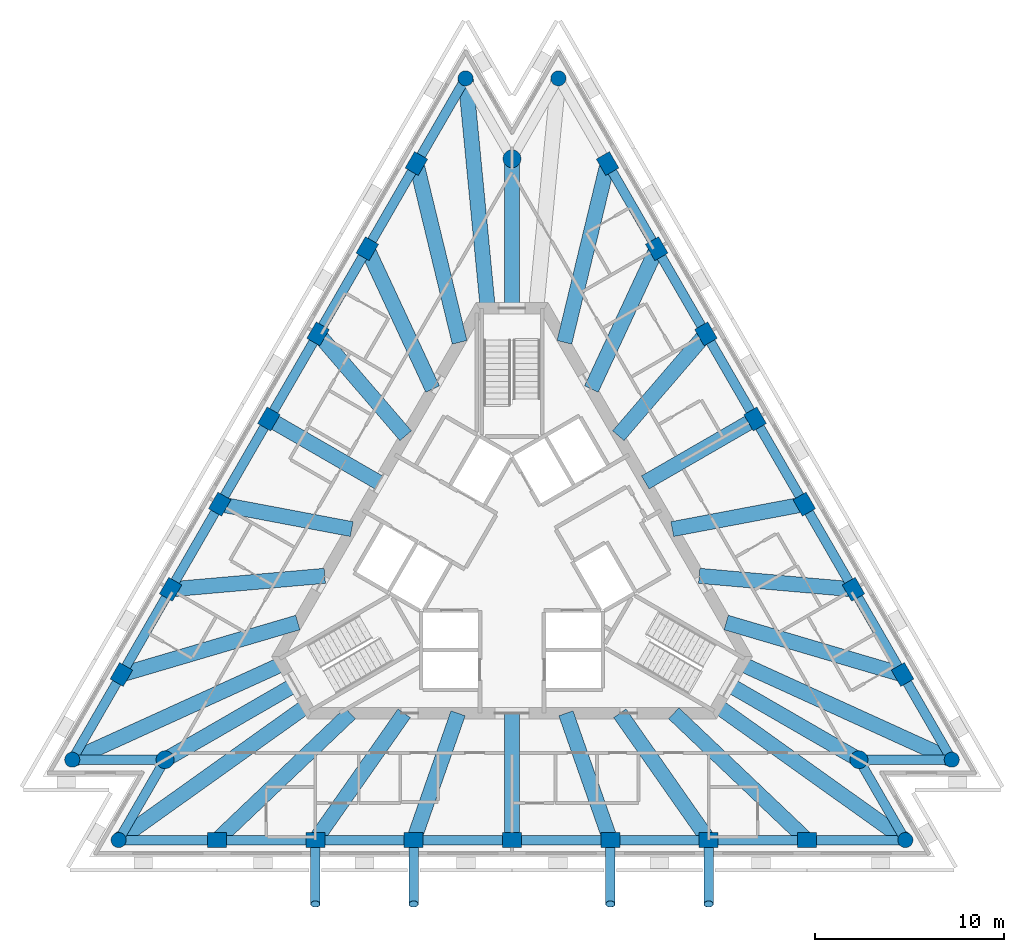
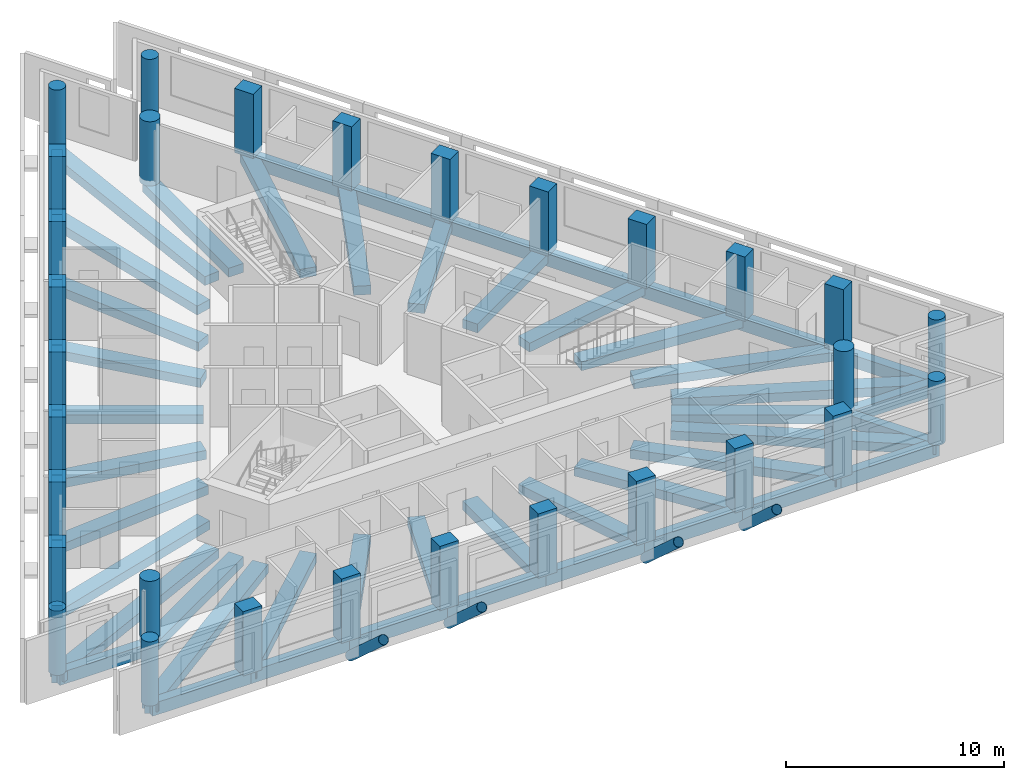
# One storey, part 1 of 10: 56 beams, 30 columns, 4 members.
"""IFC4 building model written with IfcOpenShell, lengths in metres."""

from ifc_helpers import new_model, si_unit, direction, frame, origin, origin_2d, place, context, subcontext, project, spatial, rectangle, circle, hollow_circle, extrude, material, material_profile, profile_set, type_object, element, save


model = new_model("IFC4")

# Units and contexts
model_context = context("Model", 3, precision=1e-05, world=origin(), true_north=direction((0.0, 1.0)))
body_context = subcontext(model_context, "Body", "Model", "MODEL_VIEW")
ifc_project = project(units=[si_unit("LENGTHUNIT", "METRE"), si_unit("AREAUNIT", "SQUARE_METRE"), si_unit("VOLUMEUNIT", "CUBIC_METRE"), si_unit("PLANEANGLEUNIT", "RADIAN"), si_unit("MASSUNIT", "GRAM", prefix="KILO")], contexts=[model_context])

# Site, building, storey
site_placement = place(None, origin())
site = spatial("IfcSite", under=ifc_project, at=site_placement, CompositionType="ELEMENT")
building_placement = place(site_placement, origin())
building = spatial("IfcBuilding", under=site, at=building_placement, Name="Triada Interchange Tower", CompositionType="ELEMENT")
storey_placement = place(building_placement, frame((0.0, 0.0, 318.699951171875)))
storey = spatial("IfcBuildingStorey", under=building, at=storey_placement, Name="L76", CompositionType="ELEMENT", Elevation=318.699951171875)

# Columns
ifc_material_1 = material(Name="Concrete C40/50", Category="concrete")
ifc_material_profile_1 = material_profile(ifc_material_1, rectangle(XDim=1.0, YDim=0.800048828125, at=origin_2d()), Name="RC 1000x800")
ifc_profile_set_1 = profile_set([ifc_material_profile_1], Name="Concrete C40/50")
column_type_1 = type_object("IfcColumnType", Name="Column D face RC 1000x800", PredefinedType="COLUMN", material=ifc_profile_set_1)
for number, where, z_axis, x_axis, name in (
    (1, (-5.06103515625, 20.9599609375, -0.300048828125), (0.0, 0.0, 1.0), (0.5, 0.866025403784, 0.0), "Column CD02 L76"),
    (2, (-7.6640625, 16.450927734375, -0.300048828125), (0.0, 0.0, 1.0), (0.5, 0.866025403784, 0.0), "Column CD03 L76"),
    (3, (-10.26806640625, 11.94091796875, -0.300048828125), (0.0, 0.0, 1.0), (0.5, 0.866025403784, 0.0), "Column CD04 L76"),
    (4, (-12.8720703125, 7.431884765625, -0.300048828125), (0.0, 0.0, 1.0), (0.5, 0.866025403784, 0.0), "Column CD05 L76"),
    (5, (-15.47509765625, 2.922119140625, -0.300048828125), (0.0, 0.0, 1.0), (0.5, 0.866025403784, 0.0), "Column CD06 L76"),
    (6, (-18.0791015625, -1.587890625, -0.300048828125), (0.0, 0.0, 1.0), (0.5, 0.866025403784, 0.0), "Column CD07 L76"),
    (7, (-20.681884765625, -6.096923828125, -0.300048828125), (0.0, 0.0, 1.0), (0.5, 0.866025403784, 0.0), "Column CD08 L76"),
    (8, (-15.6220703125, -14.863037109375, -0.300048828125), (0.0, 0.0, 1.0), (1.0, 0.0, 0.0), "Column CD11 L76"),
    (9, (-10.4140625, -14.863037109375, -0.300048828125), (0.0, 0.0, 1.0), (1.0, 0.0, 0.0), "Column CD12 L76"),
    (10, (-5.20703125, -14.863037109375, -0.300048828125), (0.0, 0.0, 1.0), (1.0, 0.0, 0.0), "Column CD13 L76"),
    (11, (0.0, -14.863037109375, -0.300048828125), (0.0, 0.0, 1.0), (1.0, 0.0, 0.0), "Column CD14 L76"),
    (12, (5.20703125, -14.863037109375, -0.300048828125), (0.0, 0.0, 1.0), (1.0, 0.0, 0.0), "Column CD15 L76"),
    (13, (10.4140625, -14.863037109375, -0.300048828125), (0.0, 0.0, 1.0), (1.0, 0.0, 0.0), "Column CD16 L76"),
    (14, (15.6220703125, -14.863037109375, -0.300048828125), (0.0, 0.0, 1.0), (1.0, 0.0, 0.0), "Column CD17 L76"),
    (15, (20.681884765625, -6.096923828125, -0.300048828125), (0.0, 0.0, 1.0), (-0.5, 0.866025403784, 0.0), "Column CD20 L76"),
    (16, (18.0791015625, -1.587890625, -0.300048828125), (0.0, 0.0, 1.0), (-0.5, 0.866025403784, 0.0), "Column CD21 L76"),
    (17, (15.47509765625, 2.922119140625, -0.300048828125), (0.0, 0.0, 1.0), (-0.5, 0.866025403784, 0.0), "Column CD22 L76"),
    (18, (12.8720703125, 7.431884765625, -0.300048828125), (0.0, 0.0, 1.0), (-0.5, 0.866025403784, 0.0), "Column CD23 L76"),
    (19, (10.26806640625, 11.94091796875, -0.300048828125), (0.0, 0.0, 1.0), (-0.5, 0.866025403784, 0.0), "Column CD24 L76"),
    (20, (7.6640625, 16.450927734375, -0.300048828125), (0.0, 0.0, 1.0), (-0.5, 0.866025403784, 0.0), "Column CD25 L76"),
    (21, (5.06103515625, 20.9599609375, -0.300048828125), (0.0, 0.0, 1.0), (-0.5, 0.866025403784, 0.0), "Column CD26 L76"),
):
    element("IfcColumn", number, at=place(storey_placement, frame(where, z_axis=z_axis, x_axis=x_axis)), inside=storey, type_object=column_type_1, Name=name, PredefinedType="COLUMN", context=body_context, shape_type="SweptSolid", body=[
        extrude(rectangle(XDim=1.0, YDim=0.800048828125, at=origin_2d()), origin(), (0.0, 0.0, 1.0), 3.60009765625),
    ])
ifc_material_profile_2 = material_profile(ifc_material_1, circle(Radius=0.39990234375, at=origin_2d()), Name="RC D800")
ifc_profile_set_2 = profile_set([ifc_material_profile_2], Name="Concrete C40/50")
column_type_2 = type_object("IfcColumnType", Name="End column D RC D800", PredefinedType="COLUMN", material=ifc_profile_set_2)
for number, where, z_axis, x_axis, name in (
    (22, (-2.45703125, 25.469970703125, -0.300048828125), (0.0, 0.0, 1.0), (0.5, 0.866025403784, 0.0), "Column CD01 L76"),
    (23, (-23.285888671875, -10.60693359375, -0.300048828125), (0.0, 0.0, 1.0), (0.5, 0.866025403784, 0.0), "Column CD09 L76"),
    (24, (-20.8291015625, -14.863037109375, -0.300048828125), (0.0, 0.0, 1.0), (1.0, 0.0, 0.0), "Column CD10 L76"),
    (25, (20.8291015625, -14.863037109375, -0.300048828125), (0.0, 0.0, 1.0), (1.0, 0.0, 0.0), "Column CD18 L76"),
    (26, (23.285888671875, -10.60693359375, -0.300048828125), (0.0, 0.0, 1.0), (-0.5, 0.866025403784, 0.0), "Column CD19 L76"),
    (27, (2.45703125, 25.469970703125, -0.300048828125), (0.0, 0.0, 1.0), (-0.5, 0.866025403784, 0.0), "Column CD27 L76"),
):
    element("IfcColumn", number, at=place(storey_placement, frame(where, z_axis=z_axis, x_axis=x_axis)), inside=storey, type_object=column_type_2, Name=name, PredefinedType="COLUMN", context=body_context, shape_type="SweptSolid", body=[
        extrude(circle(Radius=0.39990234375, at=origin_2d()), origin(), (0.0, 0.0, 1.0), 3.60009765625),
    ])
ifc_material_profile_3 = material_profile(ifc_material_1, circle(Radius=0.47509765625, at=origin_2d()), Name="RC D950")
ifc_profile_set_3 = profile_set([ifc_material_profile_3], Name="Concrete C40/50")
column_type_3 = type_object("IfcColumnType", Name="Mega column D RC D950", PredefinedType="COLUMN", material=ifc_profile_set_3)
for number, where, z_axis, x_axis, name in (
    (28, (0.0, 21.214111328125, -0.300048828125), (0.0, 0.0, 1.0), (1.0, 0.0, 0.0), "Column MD1 L76"),
    (29, (-18.3720703125, -10.60693359375, -0.300048828125), (0.0, 0.0, 1.0), (1.0, 0.0, 0.0), "Column MD2 L76"),
    (30, (18.3720703125, -10.60693359375, -0.300048828125), (0.0, 0.0, 1.0), (1.0, 0.0, 0.0), "Column MD3 L76"),
):
    element("IfcColumn", number, at=place(storey_placement, frame(where, z_axis=z_axis, x_axis=x_axis)), inside=storey, type_object=column_type_3, Name=name, PredefinedType="COLUMN", context=body_context, shape_type="SweptSolid", body=[
        extrude(circle(Radius=0.47509765625, at=origin_2d()), origin(), (0.0, 0.0, 1.0), 3.60009765625),
    ])

# Members
ifc_material_2 = material(Name="Steel S355", Category="steel")
ifc_material_profile_4 = material_profile(ifc_material_2, hollow_circle(Radius=0.25390625, WallThickness=0.01611328125, at=origin_2d()), Name="CHS 508x16")
ifc_profile_set_4 = profile_set([ifc_material_profile_4], Name="Steel S355")
member_type = type_object("IfcMemberType", Name="Pool strut CHS 508x16", PredefinedType="BRACE", material=ifc_profile_set_4)
for number, where, z_axis, x_axis, name in (
    (31, (-10.4140625, -18.25, 1.550048828125), (0.0, 0.743086197758, -0.669195713302), (-1.0, 0.0, 0.0), "Pool deck strut 1"),
    (32, (-5.20703125, -18.25, 1.550048828125), (0.0, 0.743086197758, -0.669195713302), (-1.0, 0.0, 0.0), "Pool deck strut 2"),
    (33, (5.20703125, -18.25, 1.550048828125), (0.0, 0.743086197758, -0.669195713302), (-1.0, 0.0, 0.0), "Pool deck strut 3"),
    (34, (10.4140625, -18.25, 1.550048828125), (0.0, 0.743086197758, -0.669195713302), (-1.0, 0.0, 0.0), "Pool deck strut 4"),
):
    element("IfcMember", number, at=place(storey_placement, frame(where, z_axis=z_axis, x_axis=x_axis)), inside=storey, type_object=member_type, Name=name, PredefinedType="BRACE", context=body_context, shape_type="SweptSolid", body=[
        extrude(hollow_circle(Radius=0.25390625, WallThickness=0.01611328125, at=origin_2d()), origin(), (0.0, 0.0, 1.0), 4.087158203125),
    ])

# Beams
ifc_material_3 = material(Name="Concrete C50/60", Category="concrete")
ifc_material_profile_5 = material_profile(ifc_material_3, rectangle(XDim=0.800048828125, YDim=0.5, at=origin_2d()), Name="RC 800x500")
ifc_profile_set_5 = profile_set([ifc_material_profile_5], Name="Concrete C50/60")
beam_type_1 = type_object("IfcBeamType", Name="Radial band beam D RC 800x500", PredefinedType="BEAM", material=ifc_profile_set_5)
beam_1_placement = place(storey_placement, frame((-2.45703125, 25.469970703125, -0.550048828125), z_axis=(0.09602744551, -0.995378686586, 0.0), x_axis=(0.995378686586, 0.09602744551, 0.0)))
element("IfcBeam", 35, at=beam_1_placement, inside=storey, type_object=beam_type_1, Name="Radial band beam BD01 L76", PredefinedType="BEAM", context=body_context, shape_type="SweptSolid", body=[
    extrude(rectangle(XDim=0.800048828125, YDim=0.5, at=origin_2d()), origin(), (0.0, 0.0, 1.0), 12.226318359375),
])
beam_2_placement = place(storey_placement, frame((-5.06103515625, 20.9599609375, -0.550048828125), z_axis=(0.234736099934, -0.972059135746, 0.0), x_axis=(0.972059135746, 0.234736099934, 0.0)))
element("IfcBeam", 36, at=beam_2_placement, inside=storey, type_object=beam_type_1, Name="Radial band beam BD02 L76", PredefinedType="BEAM", context=body_context, shape_type="SweptSolid", body=[
    extrude(rectangle(XDim=0.800048828125, YDim=0.5, at=origin_2d()), origin(), (0.0, 0.0, 1.0), 9.7392578125),
])
beam_3_placement = place(storey_placement, frame((-7.6640625, 16.450927734375, -0.550048828125), z_axis=(0.422272260862, -0.906469049503, 0.0), x_axis=(0.906469049503, 0.422272260862, 0.0)))
element("IfcBeam", 37, at=beam_3_placement, inside=storey, type_object=beam_type_1, Name="Radial band beam BD03 L76", PredefinedType="BEAM", context=body_context, shape_type="SweptSolid", body=[
    extrude(rectangle(XDim=0.800048828125, YDim=0.5, at=origin_2d()), origin(), (0.0, 0.0, 1.0), 8.196533203125),
])
beam_4_placement = place(storey_placement, frame((-10.26806640625, 11.94091796875, -0.550048828125), z_axis=(0.652068074726, -0.758160422288, 0.0), x_axis=(0.758160422288, 0.652068074726, 0.0)))
element("IfcBeam", 38, at=beam_4_placement, inside=storey, type_object=beam_type_1, Name="Radial band beam BD04 L76", PredefinedType="BEAM", context=body_context, shape_type="SweptSolid", body=[
    extrude(rectangle(XDim=0.800048828125, YDim=0.5, at=origin_2d()), origin(), (0.0, 0.0, 1.0), 7.113037109375),
])
beam_5_placement = place(storey_placement, frame((-12.8720703125, 7.431884765625, -0.550048828125), z_axis=(0.86600996069, -0.50002674727, 0.0), x_axis=(0.50002674727, 0.86600996069, 0.0)))
element("IfcBeam", 39, at=beam_5_placement, inside=storey, type_object=beam_type_1, Name="Radial band beam BD05 L76", PredefinedType="BEAM", context=body_context, shape_type="SweptSolid", body=[
    extrude(rectangle(XDim=0.800048828125, YDim=0.5, at=origin_2d()), origin(), (0.0, 0.0, 1.0), 6.713623046875),
])
beam_6_placement = place(storey_placement, frame((-15.47509765625, 2.922119140625, -0.550048828125), z_axis=(0.982626118803, -0.185596095447, 0.0), x_axis=(0.185596095447, 0.982626118803, 0.0)))
element("IfcBeam", 40, at=beam_6_placement, inside=storey, type_object=beam_type_1, Name="Radial band beam BD06 L76", PredefinedType="BEAM", context=body_context, shape_type="SweptSolid", body=[
    extrude(rectangle(XDim=0.800048828125, YDim=0.5, at=origin_2d()), origin(), (0.0, 0.0, 1.0), 7.112548828125),
])
beam_7_placement = place(storey_placement, frame((-18.0791015625, -1.587890625, -0.550048828125), z_axis=(0.996169628098, 0.087441820979, 0.0), x_axis=(-0.087441820979, 0.996169628098, 0.0)))
element("IfcBeam", 41, at=beam_7_placement, inside=storey, type_object=beam_type_1, Name="Radial band beam BD07 L76", PredefinedType="BEAM", context=body_context, shape_type="SweptSolid", body=[
    extrude(rectangle(XDim=0.800048828125, YDim=0.5, at=origin_2d()), origin(), (0.0, 0.0, 1.0), 8.197509765625),
])
beam_8_placement = place(storey_placement, frame((-20.681884765625, -6.096923828125, -0.550048828125), z_axis=(0.959181663984, 0.282790621269, 0.0), x_axis=(-0.282790621269, 0.959181663984, 0.0)))
element("IfcBeam", 42, at=beam_8_placement, inside=storey, type_object=beam_type_1, Name="Radial band beam BD08 L76", PredefinedType="BEAM", context=body_context, shape_type="SweptSolid", body=[
    extrude(rectangle(XDim=0.800048828125, YDim=0.5, at=origin_2d()), origin(), (0.0, 0.0, 1.0), 9.73828125),
])
beam_9_placement = place(storey_placement, frame((-23.285888671875, -10.60693359375, -0.550048828125), z_axis=(0.910039299284, 0.414521982238, 0.0), x_axis=(-0.414521982238, 0.910039299284, 0.0)))
element("IfcBeam", 43, at=beam_9_placement, inside=storey, type_object=beam_type_1, Name="Radial band beam BD09 L76", PredefinedType="BEAM", context=body_context, shape_type="SweptSolid", body=[
    extrude(rectangle(XDim=0.800048828125, YDim=0.5, at=origin_2d()), origin(), (0.0, 0.0, 1.0), 12.225830078125),
])
beam_10_placement = place(storey_placement, frame((-18.3720703125, -10.60693359375, -0.550048828125), z_axis=(0.866032502725, 0.499987704073, 0.0), x_axis=(-0.499987704073, 0.866032502725, 0.0)))
element("IfcBeam", 44, at=beam_10_placement, inside=storey, type_object=beam_type_1, Name="Radial band beam BD10 L76", PredefinedType="BEAM", context=body_context, shape_type="SweptSolid", body=[
    extrude(rectangle(XDim=0.800048828125, YDim=0.5, at=origin_2d()), origin(), (0.0, 0.0, 1.0), 7.914306640625),
])
beam_11_placement = place(storey_placement, frame((-20.8291015625, -14.863037109375, -0.550048828125), z_axis=(0.814016690787, 0.580841481922, 0.0), x_axis=(-0.580841481922, 0.814016690787, 0.0)))
element("IfcBeam", 45, at=beam_11_placement, inside=storey, type_object=beam_type_1, Name="Radial band beam BD11 L76", PredefinedType="BEAM", context=body_context, shape_type="SweptSolid", body=[
    extrude(rectangle(XDim=0.800048828125, YDim=0.5, at=origin_2d()), origin(), (0.0, 0.0, 1.0), 12.227294921875),
])
beam_12_placement = place(storey_placement, frame((-15.6220703125, -14.863037109375, -0.550048828125), z_axis=(0.724497300628, 0.689277637373, 0.0), x_axis=(-0.689277637373, 0.724497300628, 0.0)))
element("IfcBeam", 46, at=beam_12_placement, inside=storey, type_object=beam_type_1, Name="Radial band beam BD12 L76", PredefinedType="BEAM", context=body_context, shape_type="SweptSolid", body=[
    extrude(rectangle(XDim=0.800048828125, YDim=0.5, at=origin_2d()), origin(), (0.0, 0.0, 1.0), 9.7392578125),
])
beam_13_placement = place(storey_placement, frame((-10.4140625, -14.863037109375, -0.550048828125), z_axis=(0.573864049715, 0.818950579977, 0.0), x_axis=(-0.818950579977, 0.573864049715, 0.0)))
element("IfcBeam", 47, at=beam_13_placement, inside=storey, type_object=beam_type_1, Name="Radial band beam BD13 L76", PredefinedType="BEAM", context=body_context, shape_type="SweptSolid", body=[
    extrude(rectangle(XDim=0.800048828125, YDim=0.5, at=origin_2d()), origin(), (0.0, 0.0, 1.0), 8.197265625),
])
beam_14_placement = place(storey_placement, frame((-5.20703125, -14.863037109375, -0.550048828125), z_axis=(0.330657699543, 0.94375075403, 0.0), x_axis=(-0.94375075403, 0.330657699543, 0.0)))
element("IfcBeam", 48, at=beam_14_placement, inside=storey, type_object=beam_type_1, Name="Radial band beam BD14 L76", PredefinedType="BEAM", context=body_context, shape_type="SweptSolid", body=[
    extrude(rectangle(XDim=0.800048828125, YDim=0.5, at=origin_2d()), origin(), (0.0, 0.0, 1.0), 7.11328125),
])
beam_15_placement = place(storey_placement, frame((0.0, -14.863037109375, -0.550048828125), z_axis=(0.0, 1.0, 0.0), x_axis=(-1.0, 0.0, 0.0)))
element("IfcBeam", 49, at=beam_15_placement, inside=storey, type_object=beam_type_1, Name="Radial band beam BD15 L76", PredefinedType="BEAM", context=body_context, shape_type="SweptSolid", body=[
    extrude(rectangle(XDim=0.800048828125, YDim=0.5, at=origin_2d()), origin(), (0.0, 0.0, 1.0), 6.713134765625),
])
beam_16_placement = place(storey_placement, frame((5.20703125, -14.863037109375, -0.550048828125), z_axis=(-0.330657699543, 0.94375075403, 0.0), x_axis=(-0.94375075403, -0.330657699543, 0.0)))
element("IfcBeam", 50, at=beam_16_placement, inside=storey, type_object=beam_type_1, Name="Radial band beam BD16 L76", PredefinedType="BEAM", context=body_context, shape_type="SweptSolid", body=[
    extrude(rectangle(XDim=0.800048828125, YDim=0.5, at=origin_2d()), origin(), (0.0, 0.0, 1.0), 7.11328125),
])
beam_17_placement = place(storey_placement, frame((10.4140625, -14.863037109375, -0.550048828125), z_axis=(-0.573864049715, 0.818950579977, 0.0), x_axis=(-0.818950579977, -0.573864049715, 0.0)))
element("IfcBeam", 51, at=beam_17_placement, inside=storey, type_object=beam_type_1, Name="Radial band beam BD17 L76", PredefinedType="BEAM", context=body_context, shape_type="SweptSolid", body=[
    extrude(rectangle(XDim=0.800048828125, YDim=0.5, at=origin_2d()), origin(), (0.0, 0.0, 1.0), 8.197265625),
])
beam_18_placement = place(storey_placement, frame((15.6220703125, -14.863037109375, -0.550048828125), z_axis=(-0.724497300628, 0.689277637373, 0.0), x_axis=(-0.689277637373, -0.724497300628, 0.0)))
element("IfcBeam", 52, at=beam_18_placement, inside=storey, type_object=beam_type_1, Name="Radial band beam BD18 L76", PredefinedType="BEAM", context=body_context, shape_type="SweptSolid", body=[
    extrude(rectangle(XDim=0.800048828125, YDim=0.5, at=origin_2d()), origin(), (0.0, 0.0, 1.0), 9.7392578125),
])
beam_19_placement = place(storey_placement, frame((20.8291015625, -14.863037109375, -0.550048828125), z_axis=(-0.814016690787, 0.580841481922, 0.0), x_axis=(-0.580841481922, -0.814016690787, 0.0)))
element("IfcBeam", 53, at=beam_19_placement, inside=storey, type_object=beam_type_1, Name="Radial band beam BD19 L76", PredefinedType="BEAM", context=body_context, shape_type="SweptSolid", body=[
    extrude(rectangle(XDim=0.800048828125, YDim=0.5, at=origin_2d()), origin(), (0.0, 0.0, 1.0), 12.227294921875),
])
beam_20_placement = place(storey_placement, frame((18.3720703125, -10.60693359375, -0.550048828125), z_axis=(-0.866032502725, 0.499987704073, 0.0), x_axis=(-0.499987704073, -0.866032502725, 0.0)))
element("IfcBeam", 54, at=beam_20_placement, inside=storey, type_object=beam_type_1, Name="Radial band beam BD20 L76", PredefinedType="BEAM", context=body_context, shape_type="SweptSolid", body=[
    extrude(rectangle(XDim=0.800048828125, YDim=0.5, at=origin_2d()), origin(), (0.0, 0.0, 1.0), 7.914306640625),
])
beam_21_placement = place(storey_placement, frame((23.285888671875, -10.60693359375, -0.550048828125), z_axis=(-0.910039299284, 0.414521982238, 0.0), x_axis=(-0.414521982238, -0.910039299284, 0.0)))
element("IfcBeam", 55, at=beam_21_placement, inside=storey, type_object=beam_type_1, Name="Radial band beam BD21 L76", PredefinedType="BEAM", context=body_context, shape_type="SweptSolid", body=[
    extrude(rectangle(XDim=0.800048828125, YDim=0.5, at=origin_2d()), origin(), (0.0, 0.0, 1.0), 12.225830078125),
])
beam_22_placement = place(storey_placement, frame((20.681884765625, -6.096923828125, -0.550048828125), z_axis=(-0.959181663984, 0.282790621269, 0.0), x_axis=(-0.282790621269, -0.959181663984, 0.0)))
element("IfcBeam", 56, at=beam_22_placement, inside=storey, type_object=beam_type_1, Name="Radial band beam BD22 L76", PredefinedType="BEAM", context=body_context, shape_type="SweptSolid", body=[
    extrude(rectangle(XDim=0.800048828125, YDim=0.5, at=origin_2d()), origin(), (0.0, 0.0, 1.0), 9.73828125),
])
beam_23_placement = place(storey_placement, frame((18.0791015625, -1.587890625, -0.550048828125), z_axis=(-0.996169628098, 0.087441820979, 0.0), x_axis=(-0.087441820979, -0.996169628098, 0.0)))
element("IfcBeam", 57, at=beam_23_placement, inside=storey, type_object=beam_type_1, Name="Radial band beam BD23 L76", PredefinedType="BEAM", context=body_context, shape_type="SweptSolid", body=[
    extrude(rectangle(XDim=0.800048828125, YDim=0.5, at=origin_2d()), origin(), (0.0, 0.0, 1.0), 8.197509765625),
])
beam_24_placement = place(storey_placement, frame((15.47509765625, 2.922119140625, -0.550048828125), z_axis=(-0.982626118803, -0.185596095447, 0.0), x_axis=(0.185596095447, -0.982626118803, 0.0)))
element("IfcBeam", 58, at=beam_24_placement, inside=storey, type_object=beam_type_1, Name="Radial band beam BD24 L76", PredefinedType="BEAM", context=body_context, shape_type="SweptSolid", body=[
    extrude(rectangle(XDim=0.800048828125, YDim=0.5, at=origin_2d()), origin(), (0.0, 0.0, 1.0), 7.112548828125),
])
beam_25_placement = place(storey_placement, frame((12.8720703125, 7.431884765625, -0.550048828125), z_axis=(-0.86600996069, -0.50002674727, 0.0), x_axis=(0.50002674727, -0.86600996069, 0.0)))
element("IfcBeam", 59, at=beam_25_placement, inside=storey, type_object=beam_type_1, Name="Radial band beam BD25 L76", PredefinedType="BEAM", context=body_context, shape_type="SweptSolid", body=[
    extrude(rectangle(XDim=0.800048828125, YDim=0.5, at=origin_2d()), origin(), (0.0, 0.0, 1.0), 6.713623046875),
])
beam_26_placement = place(storey_placement, frame((10.26806640625, 11.94091796875, -0.550048828125), z_axis=(-0.652068074726, -0.758160422288, 0.0), x_axis=(0.758160422288, -0.652068074726, 0.0)))
element("IfcBeam", 60, at=beam_26_placement, inside=storey, type_object=beam_type_1, Name="Radial band beam BD26 L76", PredefinedType="BEAM", context=body_context, shape_type="SweptSolid", body=[
    extrude(rectangle(XDim=0.800048828125, YDim=0.5, at=origin_2d()), origin(), (0.0, 0.0, 1.0), 7.113037109375),
])
beam_27_placement = place(storey_placement, frame((7.6640625, 16.450927734375, -0.550048828125), z_axis=(-0.422272260862, -0.906469049503, 0.0), x_axis=(0.906469049503, -0.422272260862, 0.0)))
element("IfcBeam", 61, at=beam_27_placement, inside=storey, type_object=beam_type_1, Name="Radial band beam BD27 L76", PredefinedType="BEAM", context=body_context, shape_type="SweptSolid", body=[
    extrude(rectangle(XDim=0.800048828125, YDim=0.5, at=origin_2d()), origin(), (0.0, 0.0, 1.0), 8.196533203125),
])
beam_28_placement = place(storey_placement, frame((5.06103515625, 20.9599609375, -0.550048828125), z_axis=(-0.234736099934, -0.972059135746, 0.0), x_axis=(0.972059135746, -0.234736099934, 0.0)))
element("IfcBeam", 62, at=beam_28_placement, inside=storey, type_object=beam_type_1, Name="Radial band beam BD28 L76", PredefinedType="BEAM", context=body_context, shape_type="SweptSolid", body=[
    extrude(rectangle(XDim=0.800048828125, YDim=0.5, at=origin_2d()), origin(), (0.0, 0.0, 1.0), 9.7392578125),
])
beam_29_placement = place(storey_placement, frame((0.0, 21.214111328125, -0.550048828125), z_axis=(0.0, -1.0, 0.0), x_axis=(1.0, 0.0, 0.0)))
element("IfcBeam", 63, at=beam_29_placement, inside=storey, type_object=beam_type_1, Name="Radial band beam BD30 L76", PredefinedType="BEAM", context=body_context, shape_type="SweptSolid", body=[
    extrude(rectangle(XDim=0.800048828125, YDim=0.5, at=origin_2d()), origin(), (0.0, 0.0, 1.0), 7.9140625),
])
ifc_material_profile_6 = material_profile(ifc_material_3, rectangle(XDim=0.5, YDim=0.699951171875, at=origin_2d()), Name="RC 500x700")
ifc_profile_set_6 = profile_set([ifc_material_profile_6], Name="Concrete C50/60")
beam_type_2 = type_object("IfcBeamType", Name="Spandrel beam D RC 500x700", PredefinedType="BEAM", material=ifc_profile_set_6)
beam_30_placement = place(storey_placement, frame((-2.45703125, 25.469970703125, -0.64990234375), z_axis=(-0.500021393879, -0.866013051671, 0.0), x_axis=(0.866013051671, -0.500021393879, 0.0)))
element("IfcBeam", 64, at=beam_30_placement, inside=storey, type_object=beam_type_2, Name="Spandrel beam ED01 L76", PredefinedType="BEAM", context=body_context, shape_type="SweptSolid", body=[
    extrude(rectangle(XDim=0.5, YDim=0.699951171875, at=origin_2d()), origin(), (0.0, 0.0, 1.0), 5.207763671875),
])
beam_31_placement = place(storey_placement, frame((-5.06103515625, 20.9599609375, -0.64990234375), z_axis=(-0.499961942423, -0.866047375222, 0.0), x_axis=(0.866047375222, -0.499961942423, 0.0)))
element("IfcBeam", 65, at=beam_31_placement, inside=storey, type_object=beam_type_2, Name="Spandrel beam ED02 L76", PredefinedType="BEAM", context=body_context, shape_type="SweptSolid", body=[
    extrude(rectangle(XDim=0.5, YDim=0.699951171875, at=origin_2d()), origin(), (0.0, 0.0, 1.0), 5.20654296875),
])
beam_32_placement = place(storey_placement, frame((-7.6640625, 16.450927734375, -0.64990234375), z_axis=(-0.500021393879, -0.866013051671, 0.0), x_axis=(0.866013051671, -0.500021393879, 0.0)))
element("IfcBeam", 66, at=beam_32_placement, inside=storey, type_object=beam_type_2, Name="Spandrel beam ED03 L76", PredefinedType="BEAM", context=body_context, shape_type="SweptSolid", body=[
    extrude(rectangle(XDim=0.5, YDim=0.699951171875, at=origin_2d()), origin(), (0.0, 0.0, 1.0), 5.207763671875),
])
for number, where, z_axis, x_axis, name in (
    (67, (-10.26806640625, 11.94091796875, -0.64990234375), (-0.500102605615, -0.8659661563, 0.0), (0.8659661563, -0.500102605615, 0.0), "Spandrel beam ED04 L76"),
    (68, (-12.8720703125, 7.431884765625, -0.64990234375), (-0.499901037272, -0.866082532404, 0.0), (0.866082532404, -0.499901037272, 0.0), "Spandrel beam ED05 L76"),
):
    element("IfcBeam", number, at=place(storey_placement, frame(where, z_axis=z_axis, x_axis=x_axis)), inside=storey, type_object=beam_type_2, Name=name, PredefinedType="BEAM", context=body_context, shape_type="SweptSolid", body=[
        extrude(rectangle(XDim=0.5, YDim=0.699951171875, at=origin_2d()), origin(), (0.0, 0.0, 1.0), 5.20703125),
    ])
beam_33_placement = place(storey_placement, frame((-15.47509765625, 2.922119140625, -0.64990234375), z_axis=(-0.500021393879, -0.866013051671, 0.0), x_axis=(0.866013051671, -0.500021393879, 0.0)))
element("IfcBeam", 69, at=beam_33_placement, inside=storey, type_object=beam_type_2, Name="Spandrel beam ED06 L76", PredefinedType="BEAM", context=body_context, shape_type="SweptSolid", body=[
    extrude(rectangle(XDim=0.5, YDim=0.699951171875, at=origin_2d()), origin(), (0.0, 0.0, 1.0), 5.207763671875),
])
beam_34_placement = place(storey_placement, frame((-18.0791015625, -1.587890625, -0.64990234375), z_axis=(-0.499926770441, -0.866067678762, 0.0), x_axis=(0.866067678762, -0.499926770441, 0.0)))
element("IfcBeam", 70, at=beam_34_placement, inside=storey, type_object=beam_type_2, Name="Spandrel beam ED07 L76", PredefinedType="BEAM", context=body_context, shape_type="SweptSolid", body=[
    extrude(rectangle(XDim=0.5, YDim=0.699951171875, at=origin_2d()), origin(), (0.0, 0.0, 1.0), 5.206298828125),
])
beam_35_placement = place(storey_placement, frame((-20.681884765625, -6.096923828125, -0.64990234375), z_axis=(-0.500021393879, -0.866013051671, 0.0), x_axis=(0.866013051671, -0.500021393879, 0.0)))
element("IfcBeam", 71, at=beam_35_placement, inside=storey, type_object=beam_type_2, Name="Spandrel beam ED08 L76", PredefinedType="BEAM", context=body_context, shape_type="SweptSolid", body=[
    extrude(rectangle(XDim=0.5, YDim=0.699951171875, at=origin_2d()), origin(), (0.0, 0.0, 1.0), 5.207763671875),
])
beam_36_placement = place(storey_placement, frame((-23.285888671875, -10.60693359375, -0.64990234375), z_axis=(1.0, 0.0, 0.0), x_axis=(0.0, 1.0, 0.0)))
element("IfcBeam", 72, at=beam_36_placement, inside=storey, type_object=beam_type_2, Name="Spandrel beam ED09 L76", PredefinedType="BEAM", context=body_context, shape_type="SweptSolid", body=[
    extrude(rectangle(XDim=0.5, YDim=0.699951171875, at=origin_2d()), origin(), (0.0, 0.0, 1.0), 4.913818359375),
])
beam_37_placement = place(storey_placement, frame((-18.3720703125, -10.60693359375, -0.64990234375), z_axis=(-0.499964706364, -0.866045779616, 0.0), x_axis=(0.866045779616, -0.499964706364, 0.0)))
element("IfcBeam", 73, at=beam_37_placement, inside=storey, type_object=beam_type_2, Name="Spandrel beam ED10 L76", PredefinedType="BEAM", context=body_context, shape_type="SweptSolid", body=[
    extrude(rectangle(XDim=0.5, YDim=0.699951171875, at=origin_2d()), origin(), (0.0, 0.0, 1.0), 4.914306640625),
])
beam_38_placement = place(storey_placement, frame((-20.8291015625, -14.863037109375, -0.64990234375), z_axis=(1.0, 0.0, 0.0), x_axis=(0.0, 1.0, 0.0)))
element("IfcBeam", 74, at=beam_38_placement, inside=storey, type_object=beam_type_2, Name="Spandrel beam ED11 L76", PredefinedType="BEAM", context=body_context, shape_type="SweptSolid", body=[
    extrude(rectangle(XDim=0.5, YDim=0.699951171875, at=origin_2d()), origin(), (0.0, 0.0, 1.0), 5.20703125),
])
beam_39_placement = place(storey_placement, frame((-15.6220703125, -14.863037109375, -0.64990234375), z_axis=(1.0, 0.0, 0.0), x_axis=(0.0, 1.0, 0.0)))
element("IfcBeam", 75, at=beam_39_placement, inside=storey, type_object=beam_type_2, Name="Spandrel beam ED12 L76", PredefinedType="BEAM", context=body_context, shape_type="SweptSolid", body=[
    extrude(rectangle(XDim=0.5, YDim=0.699951171875, at=origin_2d()), origin(), (0.0, 0.0, 1.0), 5.2080078125),
])
for number, where, z_axis, x_axis, name in (
    (76, (-10.4140625, -14.863037109375, -0.64990234375), (1.0, 0.0, 0.0), (0.0, 1.0, 0.0), "Spandrel beam ED13 L76"),
    (77, (-5.20703125, -14.863037109375, -0.64990234375), (1.0, 0.0, 0.0), (0.0, 1.0, 0.0), "Spandrel beam ED14 L76"),
    (78, (0.0, -14.863037109375, -0.64990234375), (1.0, 0.0, 0.0), (0.0, 1.0, 0.0), "Spandrel beam ED15 L76"),
    (79, (5.20703125, -14.863037109375, -0.64990234375), (1.0, 0.0, 0.0), (0.0, 1.0, 0.0), "Spandrel beam ED16 L76"),
):
    element("IfcBeam", number, at=place(storey_placement, frame(where, z_axis=z_axis, x_axis=x_axis)), inside=storey, type_object=beam_type_2, Name=name, PredefinedType="BEAM", context=body_context, shape_type="SweptSolid", body=[
        extrude(rectangle(XDim=0.5, YDim=0.699951171875, at=origin_2d()), origin(), (0.0, 0.0, 1.0), 5.20703125),
    ])
beam_40_placement = place(storey_placement, frame((10.4140625, -14.863037109375, -0.64990234375), z_axis=(1.0, 0.0, 0.0), x_axis=(0.0, 1.0, 0.0)))
element("IfcBeam", 80, at=beam_40_placement, inside=storey, type_object=beam_type_2, Name="Spandrel beam ED17 L76", PredefinedType="BEAM", context=body_context, shape_type="SweptSolid", body=[
    extrude(rectangle(XDim=0.5, YDim=0.699951171875, at=origin_2d()), origin(), (0.0, 0.0, 1.0), 5.2080078125),
])
beam_41_placement = place(storey_placement, frame((15.6220703125, -14.863037109375, -0.64990234375), z_axis=(1.0, 0.0, 0.0), x_axis=(0.0, 1.0, 0.0)))
element("IfcBeam", 81, at=beam_41_placement, inside=storey, type_object=beam_type_2, Name="Spandrel beam ED18 L76", PredefinedType="BEAM", context=body_context, shape_type="SweptSolid", body=[
    extrude(rectangle(XDim=0.5, YDim=0.699951171875, at=origin_2d()), origin(), (0.0, 0.0, 1.0), 5.20703125),
])
beam_42_placement = place(storey_placement, frame((20.8291015625, -14.863037109375, -0.64990234375), z_axis=(-0.499964706364, 0.866045779616, 0.0), x_axis=(-0.866045779616, -0.499964706364, 0.0)))
element("IfcBeam", 82, at=beam_42_placement, inside=storey, type_object=beam_type_2, Name="Spandrel beam ED19 L76", PredefinedType="BEAM", context=body_context, shape_type="SweptSolid", body=[
    extrude(rectangle(XDim=0.5, YDim=0.699951171875, at=origin_2d()), origin(), (0.0, 0.0, 1.0), 4.914306640625),
])
beam_43_placement = place(storey_placement, frame((18.3720703125, -10.60693359375, -0.64990234375), z_axis=(1.0, 0.0, 0.0), x_axis=(0.0, 1.0, 0.0)))
element("IfcBeam", 83, at=beam_43_placement, inside=storey, type_object=beam_type_2, Name="Spandrel beam ED20 L76", PredefinedType="BEAM", context=body_context, shape_type="SweptSolid", body=[
    extrude(rectangle(XDim=0.5, YDim=0.699951171875, at=origin_2d()), origin(), (0.0, 0.0, 1.0), 4.913818359375),
])
beam_44_placement = place(storey_placement, frame((23.285888671875, -10.60693359375, -0.64990234375), z_axis=(-0.500021393879, 0.866013051671, 0.0), x_axis=(-0.866013051671, -0.500021393879, 0.0)))
element("IfcBeam", 84, at=beam_44_placement, inside=storey, type_object=beam_type_2, Name="Spandrel beam ED21 L76", PredefinedType="BEAM", context=body_context, shape_type="SweptSolid", body=[
    extrude(rectangle(XDim=0.5, YDim=0.699951171875, at=origin_2d()), origin(), (0.0, 0.0, 1.0), 5.207763671875),
])
beam_45_placement = place(storey_placement, frame((20.681884765625, -6.096923828125, -0.64990234375), z_axis=(-0.499926770441, 0.866067678762, 0.0), x_axis=(-0.866067678762, -0.499926770441, 0.0)))
element("IfcBeam", 85, at=beam_45_placement, inside=storey, type_object=beam_type_2, Name="Spandrel beam ED22 L76", PredefinedType="BEAM", context=body_context, shape_type="SweptSolid", body=[
    extrude(rectangle(XDim=0.5, YDim=0.699951171875, at=origin_2d()), origin(), (0.0, 0.0, 1.0), 5.206298828125),
])
beam_46_placement = place(storey_placement, frame((18.0791015625, -1.587890625, -0.64990234375), z_axis=(-0.500021393879, 0.866013051671, 0.0), x_axis=(-0.866013051671, -0.500021393879, 0.0)))
element("IfcBeam", 86, at=beam_46_placement, inside=storey, type_object=beam_type_2, Name="Spandrel beam ED23 L76", PredefinedType="BEAM", context=body_context, shape_type="SweptSolid", body=[
    extrude(rectangle(XDim=0.5, YDim=0.699951171875, at=origin_2d()), origin(), (0.0, 0.0, 1.0), 5.207763671875),
])
for number, where, z_axis, x_axis, name in (
    (87, (15.47509765625, 2.922119140625, -0.64990234375), (-0.499901037272, 0.866082532404, 0.0), (-0.866082532404, -0.499901037272, 0.0), "Spandrel beam ED24 L76"),
    (88, (12.8720703125, 7.431884765625, -0.64990234375), (-0.500102605615, 0.8659661563, 0.0), (-0.8659661563, -0.500102605615, 0.0), "Spandrel beam ED25 L76"),
):
    element("IfcBeam", number, at=place(storey_placement, frame(where, z_axis=z_axis, x_axis=x_axis)), inside=storey, type_object=beam_type_2, Name=name, PredefinedType="BEAM", context=body_context, shape_type="SweptSolid", body=[
        extrude(rectangle(XDim=0.5, YDim=0.699951171875, at=origin_2d()), origin(), (0.0, 0.0, 1.0), 5.20703125),
    ])
beam_47_placement = place(storey_placement, frame((10.26806640625, 11.94091796875, -0.64990234375), z_axis=(-0.500021393879, 0.866013051671, 0.0), x_axis=(-0.866013051671, -0.500021393879, 0.0)))
element("IfcBeam", 89, at=beam_47_placement, inside=storey, type_object=beam_type_2, Name="Spandrel beam ED26 L76", PredefinedType="BEAM", context=body_context, shape_type="SweptSolid", body=[
    extrude(rectangle(XDim=0.5, YDim=0.699951171875, at=origin_2d()), origin(), (0.0, 0.0, 1.0), 5.207763671875),
])
beam_48_placement = place(storey_placement, frame((7.6640625, 16.450927734375, -0.64990234375), z_axis=(-0.499961942423, 0.866047375222, 0.0), x_axis=(-0.866047375222, -0.499961942423, 0.0)))
element("IfcBeam", 90, at=beam_48_placement, inside=storey, type_object=beam_type_2, Name="Spandrel beam ED27 L76", PredefinedType="BEAM", context=body_context, shape_type="SweptSolid", body=[
    extrude(rectangle(XDim=0.5, YDim=0.699951171875, at=origin_2d()), origin(), (0.0, 0.0, 1.0), 5.20654296875),
])

save(model, "model.ifc")
